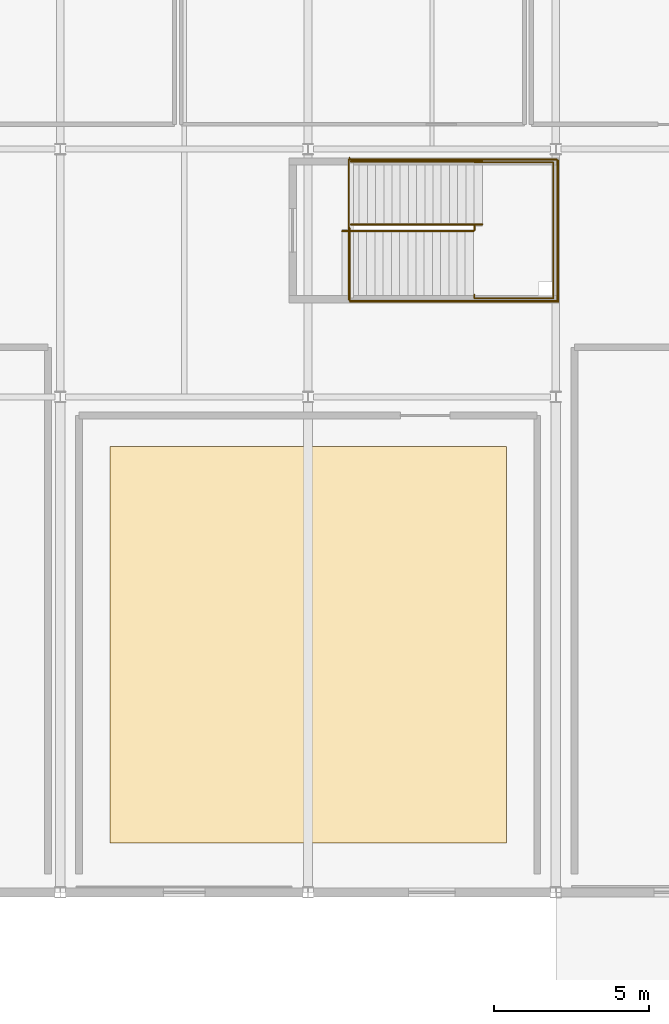
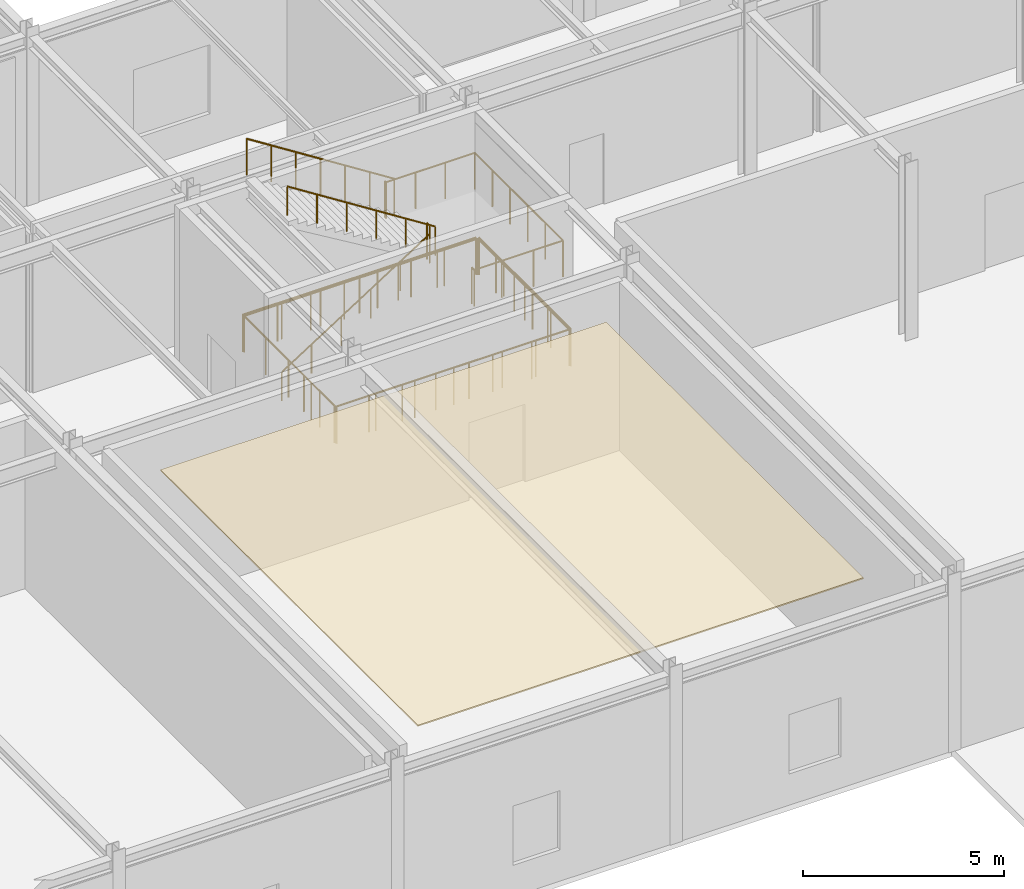
# One storey, part 105 of 108: 8 railings, 1 covering.
"""IFC4 building model written with IfcOpenShell, lengths in metres."""

from ifc_helpers import new_model, si_unit, direction, frame, origin, origin_2d, place, context, subcontext, project, spatial, rectangle, circle, extrude, material, layer, layer_set, type_object, element, save


model = new_model("IFC4")

# Units and contexts
model_context = context("Model", 3, precision=1e-05, world=origin(), true_north=direction((0.0, 1.0)))
body_context = subcontext(model_context, "Body", "Model", "MODEL_VIEW")
ifc_project = project(units=[si_unit("LENGTHUNIT", "METRE"), si_unit("AREAUNIT", "SQUARE_METRE"), si_unit("VOLUMEUNIT", "CUBIC_METRE"), si_unit("PLANEANGLEUNIT", "RADIAN"), si_unit("MASSUNIT", "GRAM", prefix="KILO")], contexts=[model_context])

# Site, building, storey
site_placement = place(None, origin())
site = spatial("IfcSite", under=ifc_project, at=site_placement, CompositionType="ELEMENT")
building_placement = place(site_placement, origin())
building = spatial("IfcBuilding", under=site, at=building_placement, Name="Zhaolan Boulevard Law Courts", CompositionType="ELEMENT")
storey_placement = place(building_placement, frame((0.0, 0.0, 10.800048828125)))
storey = spatial("IfcBuildingStorey", under=building, at=storey_placement, Name="L02", CompositionType="ELEMENT", Elevation=10.800048828125)

# Covering
ifc_material_1 = material(Name="Perforated acoustic gypsum and timber-slat ceiling", Category="wood")
ifc_layer = layer(ifc_material_1, 0.0400390625)
ifc_layer_set = layer_set([ifc_layer])
covering_type = type_object("IfcCoveringType", Name="ACOUSTIC CEILING 40", PredefinedType="CEILING", material=ifc_layer_set)
covering_placement = place(storey_placement, frame((108.0, 70.0, 4.7099609375), z_axis=(0.0, 0.0, 1.0), x_axis=(1.0, 0.0, 0.0)))
element("IfcCovering", 1, at=covering_placement, inside=storey, type_object=covering_type, Name="Acoustic Baffle Ceiling CLG-07", PredefinedType="CEILING", context=body_context, shape_type="SweptSolid", body=[
    extrude(rectangle(XDim=12.800048828125, YDim=12.800048828125, at=origin_2d()), origin(), (0.0, 0.0, 1.0), 0.0400390625),
])

# Railings
ifc_material_2 = material(Name="Powder-coated steel and tempered laminated glass", Category="steel")
railing_type_1 = type_object("IfcRailingType", Name="INTERIOR GUARDRAIL 1150", PredefinedType="GUARDRAIL", material=ifc_material_2)
railing_1_placement = place(storey_placement, frame((109.360107421875, 81.070068359375, 0.0)))
element("IfcRailing", 2, at=railing_1_placement, inside=storey, type_object=railing_type_1, Name="Atrium Gallery Guardrail VG-2-V2-4A", PredefinedType="GUARDRAIL", context=body_context, shape_type="SweptSolid", body=[
    extrude(circle(Radius=0.02490234375, at=origin_2d()), frame((0.0, 0.0, 1.125), z_axis=(1.0, 0.0, 0.0), x_axis=(0.0, 1.0, 0.0)), (0.0, 0.0, 1.0), 6.719970703125),
    extrude(circle(Radius=0.02490234375, at=origin_2d()), frame((6.719970703125, 0.0, 1.125), z_axis=(0.0, 1.0, 0.0), x_axis=(-1.0, 0.0, 0.0)), (0.0, 0.0, 1.0), 4.56982421875),
    extrude(circle(Radius=0.02099609375, at=origin_2d()), origin(), (0.0, 0.0, 1.0), 1.099853515625),
    extrude(circle(Radius=0.02099609375, at=origin_2d()), frame((1.1201171875, 0.0, 0.0)), (0.0, 0.0, 1.0), 1.099853515625),
    extrude(circle(Radius=0.02099609375, at=origin_2d()), frame((2.239990234375, 0.0, 0.0)), (0.0, 0.0, 1.0), 1.099853515625),
    extrude(circle(Radius=0.02099609375, at=origin_2d()), frame((3.35986328125, 0.0, 0.0)), (0.0, 0.0, 1.0), 1.099853515625),
    extrude(circle(Radius=0.02099609375, at=origin_2d()), frame((4.47998046875, 0.0, 0.0)), (0.0, 0.0, 1.0), 1.099853515625),
    extrude(circle(Radius=0.02099609375, at=origin_2d()), frame((5.60009765625, 0.0, 0.0)), (0.0, 0.0, 1.0), 1.099853515625),
    extrude(circle(Radius=0.02099609375, at=origin_2d()), frame((6.719970703125, 0.0, 0.0)), (0.0, 0.0, 1.0), 1.099853515625),
    extrude(circle(Radius=0.02099609375, at=origin_2d()), frame((6.719970703125, 1.142578125, 0.0)), (0.0, 0.0, 1.0), 1.099853515625),
    extrude(circle(Radius=0.02099609375, at=origin_2d()), frame((6.719970703125, 2.284912109375, 0.0)), (0.0, 0.0, 1.0), 1.099853515625),
    extrude(circle(Radius=0.02099609375, at=origin_2d()), frame((6.719970703125, 3.42724609375, 0.0)), (0.0, 0.0, 1.0), 1.099853515625),
    extrude(circle(Radius=0.02099609375, at=origin_2d()), frame((6.719970703125, 4.56982421875, 0.0)), (0.0, 0.0, 1.0), 1.099853515625),
])
railing_2_placement = place(storey_placement, frame((116.02001953125, 85.679931640625, 0.0)))
element("IfcRailing", 3, at=railing_2_placement, inside=storey, type_object=railing_type_1, Name="Atrium Gallery Guardrail VG-2-V2-4B", PredefinedType="GUARDRAIL", context=body_context, shape_type="SweptSolid", body=[
    extrude(circle(Radius=0.02490234375, at=origin_2d()), frame((0.0, 0.0, 1.125), z_axis=(-1.0, 0.0, 0.0), x_axis=(0.0, -1.0, 0.0)), (0.0, 0.0, 1.0), 6.699951171875),
    extrude(circle(Radius=0.02490234375, at=origin_2d()), frame((-6.699951171875, 0.0, 1.125), z_axis=(0.0, -1.0, 0.0), x_axis=(1.0, 0.0, 0.0)), (0.0, 0.0, 1.0), 4.550048828125),
    extrude(circle(Radius=0.02099609375, at=origin_2d()), origin(), (0.0, 0.0, 1.0), 1.099853515625),
    extrude(circle(Radius=0.02099609375, at=origin_2d()), frame((-1.11669921875, 0.0, 0.0)), (0.0, 0.0, 1.0), 1.099853515625),
    extrude(circle(Radius=0.02099609375, at=origin_2d()), frame((-2.2333984375, 0.0, 0.0)), (0.0, 0.0, 1.0), 1.099853515625),
    extrude(circle(Radius=0.02099609375, at=origin_2d()), frame((-3.35009765625, 0.0, 0.0)), (0.0, 0.0, 1.0), 1.099853515625),
    extrude(circle(Radius=0.02099609375, at=origin_2d()), frame((-4.466552734375, 0.0, 0.0)), (0.0, 0.0, 1.0), 1.099853515625),
    extrude(circle(Radius=0.02099609375, at=origin_2d()), frame((-5.583251953125, 0.0, 0.0)), (0.0, 0.0, 1.0), 1.099853515625),
    extrude(circle(Radius=0.02099609375, at=origin_2d()), frame((-6.699951171875, 0.0, 0.0)), (0.0, 0.0, 1.0), 1.099853515625),
    extrude(circle(Radius=0.02099609375, at=origin_2d()), frame((-6.699951171875, -1.137451171875, 0.0)), (0.0, 0.0, 1.0), 1.099853515625),
    extrude(circle(Radius=0.02099609375, at=origin_2d()), frame((-6.699951171875, -2.27490234375, 0.0)), (0.0, 0.0, 1.0), 1.099853515625),
    extrude(circle(Radius=0.02099609375, at=origin_2d()), frame((-6.699951171875, -3.41259765625, 0.0)), (0.0, 0.0, 1.0), 1.099853515625),
    extrude(circle(Radius=0.02099609375, at=origin_2d()), frame((-6.699951171875, -4.550048828125, 0.0)), (0.0, 0.0, 1.0), 1.099853515625),
])
ifc_material_3 = material(Name="Brushed stainless steel tubular handrail", Category="steel")
railing_type_2 = type_object("IfcRailingType", Name="STAIR HANDRAIL 900", PredefinedType="HANDRAIL", material=ifc_material_3)
railing_3_placement = place(storey_placement, frame((109.10009765625, 83.35009765625, 0.0)))
element("IfcRailing", 4, at=railing_3_placement, inside=storey, type_object=railing_type_2, Name="Stair Handrail HR-ST13-L02-1", PredefinedType="HANDRAIL", context=body_context, shape_type="SweptSolid", body=[
    extrude(circle(Radius=0.0224609375, at=origin_2d()), frame((0.0, 0.0, 0.87744140625), z_axis=(0.843501457581, 0.0, 0.537126885437), x_axis=(0.0, 1.0, 0.0)), (0.0, 0.0, 1.0), 5.026611328125),
    extrude(circle(Radius=0.01904296875, at=origin_2d()), origin(), (0.0, 0.0, 1.0), 0.85498046875),
    extrude(circle(Radius=0.01904296875, at=origin_2d()), frame((0.847900390625, 0.0, 0.5400390625)), (0.0, 0.0, 1.0), 0.85498046875),
    extrude(circle(Radius=0.01904296875, at=origin_2d()), frame((1.696044921875, 0.0, 1.080078125)), (0.0, 0.0, 1.0), 0.85498046875),
    extrude(circle(Radius=0.01904296875, at=origin_2d()), frame((2.5439453125, 0.0, 1.619873046875)), (0.0, 0.0, 1.0), 0.85498046875),
    extrude(circle(Radius=0.01904296875, at=origin_2d()), frame((3.39208984375, 0.0, 2.159912109375)), (0.0, 0.0, 1.0), 0.85498046875),
    extrude(circle(Radius=0.01904296875, at=origin_2d()), frame((4.239990234375, 0.0, 2.699951171875)), (0.0, 0.0, 1.0), 0.85498046875),
])
railing_4_placement = place(storey_placement, frame((113.625, 83.570068359375, 2.699951171875)))
element("IfcRailing", 5, at=railing_4_placement, inside=storey, type_object=railing_type_2, Name="Stair Handrail HR-ST13-L02-2", PredefinedType="HANDRAIL", context=body_context, shape_type="SweptSolid", body=[
    extrude(circle(Radius=0.0224609375, at=origin_2d()), frame((0.0, 0.0, 0.87744140625), z_axis=(-0.843501457581, 0.0, 0.537126885437), x_axis=(0.0, -1.0, 0.0)), (0.0, 0.0, 1.0), 5.026611328125),
    extrude(circle(Radius=0.01904296875, at=origin_2d()), origin(), (0.0, 0.0, 1.0), 0.85498046875),
    extrude(circle(Radius=0.01904296875, at=origin_2d()), frame((-0.847900390625, 0.0, 0.5400390625)), (0.0, 0.0, 1.0), 0.85498046875),
    extrude(circle(Radius=0.01904296875, at=origin_2d()), frame((-1.696044921875, 0.0, 1.080078125)), (0.0, 0.0, 1.0), 0.85498046875),
    extrude(circle(Radius=0.01904296875, at=origin_2d()), frame((-2.5439453125, 0.0, 1.619873046875)), (0.0, 0.0, 1.0), 0.85498046875),
    extrude(circle(Radius=0.01904296875, at=origin_2d()), frame((-3.39208984375, 0.0, 2.159912109375)), (0.0, 0.0, 1.0), 0.85498046875),
    extrude(circle(Radius=0.01904296875, at=origin_2d()), frame((-4.239990234375, 0.0, 2.699951171875)), (0.0, 0.0, 1.0), 0.85498046875),
])
ifc_material_4 = material(Name="Powder-coated steel baluster guardrail", Category="steel")
railing_type_3 = type_object("IfcRailingType", Name="STAIR WELL GUARDRAIL 1120", PredefinedType="GUARDRAIL", material=ifc_material_4)
railing_5_placement = place(storey_placement, frame((109.340087890625, 83.4599609375, 0.0)))
element("IfcRailing", 6, at=railing_5_placement, inside=storey, type_object=railing_type_3, Name="Stair-Well Floor Guardrail WG-ST13-L01", PredefinedType="GUARDRAIL", context=body_context, shape_type="SweptSolid", body=[
    extrude(circle(Radius=0.02392578125, at=origin_2d()), frame((0.0, 0.0, 1.09619140625), z_axis=(0.0, -1.0, 0.0), x_axis=(1.0, 0.0, 0.0)), (0.0, 0.0, 1.0), 2.35986328125),
    extrude(circle(Radius=0.02392578125, at=origin_2d()), frame((0.0, -2.35986328125, 1.09619140625), z_axis=(1.0, 0.0, 0.0), x_axis=(0.0, 1.0, 0.0)), (0.0, 0.0, 1.0), 6.7099609375),
    extrude(circle(Radius=0.02392578125, at=origin_2d()), frame((6.7099609375, -2.35986328125, 1.09619140625), z_axis=(0.0, 1.0, 0.0), x_axis=(-1.0, 0.0, 0.0)), (0.0, 0.0, 1.0), 4.5498046875),
    extrude(circle(Radius=0.02392578125, at=origin_2d()), frame((6.7099609375, 2.18994140625, 1.09619140625), z_axis=(-1.0, 0.0, 0.0), x_axis=(0.0, -1.0, 0.0)), (0.0, 0.0, 1.0), 6.7099609375),
    extrude(circle(Radius=0.02392578125, at=origin_2d()), frame((0.0, 2.18994140625, 1.09619140625), z_axis=(0.0, 1.0, 0.0), x_axis=(-1.0, 0.0, 0.0)), (0.0, 0.0, 1.0), 0.070068359375),
    extrude(circle(Radius=0.02099609375, at=origin_2d()), origin(), (0.0, 0.0, 1.0), 1.072021484375),
    extrude(circle(Radius=0.02099609375, at=origin_2d()), frame((0.0, -0.78662109375, 0.0)), (0.0, 0.0, 1.0), 1.072021484375),
    extrude(circle(Radius=0.02099609375, at=origin_2d()), frame((0.0, -1.5732421875, 0.0)), (0.0, 0.0, 1.0), 1.072021484375),
    extrude(circle(Radius=0.02099609375, at=origin_2d()), frame((0.0, -2.35986328125, 0.0)), (0.0, 0.0, 1.0), 1.072021484375),
    extrude(circle(Radius=0.02099609375, at=origin_2d()), frame((0.95849609375, -2.35986328125, 0.0)), (0.0, 0.0, 1.0), 1.072021484375),
    extrude(circle(Radius=0.02099609375, at=origin_2d()), frame((1.917236328125, -2.35986328125, 0.0)), (0.0, 0.0, 1.0), 1.072021484375),
    extrude(circle(Radius=0.02099609375, at=origin_2d()), frame((2.875732421875, -2.35986328125, 0.0)), (0.0, 0.0, 1.0), 1.072021484375),
    extrude(circle(Radius=0.02099609375, at=origin_2d()), frame((3.834228515625, -2.35986328125, 0.0)), (0.0, 0.0, 1.0), 1.072021484375),
    extrude(circle(Radius=0.02099609375, at=origin_2d()), frame((4.792724609375, -2.35986328125, 0.0)), (0.0, 0.0, 1.0), 1.072021484375),
    extrude(circle(Radius=0.02099609375, at=origin_2d()), frame((5.75146484375, -2.35986328125, 0.0)), (0.0, 0.0, 1.0), 1.072021484375),
    extrude(circle(Radius=0.02099609375, at=origin_2d()), frame((6.7099609375, -2.35986328125, 0.0)), (0.0, 0.0, 1.0), 1.072021484375),
    extrude(circle(Radius=0.02099609375, at=origin_2d()), frame((6.7099609375, -1.449951171875, 0.0)), (0.0, 0.0, 1.0), 1.072021484375),
    extrude(circle(Radius=0.02099609375, at=origin_2d()), frame((6.7099609375, -0.5400390625, 0.0)), (0.0, 0.0, 1.0), 1.072021484375),
    extrude(circle(Radius=0.02099609375, at=origin_2d()), frame((6.7099609375, 0.3701171875, 0.0)), (0.0, 0.0, 1.0), 1.072021484375),
    extrude(circle(Radius=0.02099609375, at=origin_2d()), frame((6.7099609375, 1.280029296875, 0.0)), (0.0, 0.0, 1.0), 1.072021484375),
    extrude(circle(Radius=0.02099609375, at=origin_2d()), frame((6.7099609375, 2.18994140625, 0.0)), (0.0, 0.0, 1.0), 1.072021484375),
    extrude(circle(Radius=0.02099609375, at=origin_2d()), frame((5.75146484375, 2.18994140625, 0.0)), (0.0, 0.0, 1.0), 1.072021484375),
    extrude(circle(Radius=0.02099609375, at=origin_2d()), frame((4.792724609375, 2.18994140625, 0.0)), (0.0, 0.0, 1.0), 1.072021484375),
    extrude(circle(Radius=0.02099609375, at=origin_2d()), frame((3.834228515625, 2.18994140625, 0.0)), (0.0, 0.0, 1.0), 1.072021484375),
    extrude(circle(Radius=0.02099609375, at=origin_2d()), frame((2.875732421875, 2.18994140625, 0.0)), (0.0, 0.0, 1.0), 1.072021484375),
    extrude(circle(Radius=0.02099609375, at=origin_2d()), frame((1.917236328125, 2.18994140625, 0.0)), (0.0, 0.0, 1.0), 1.072021484375),
    extrude(circle(Radius=0.02099609375, at=origin_2d()), frame((0.95849609375, 2.18994140625, 0.0)), (0.0, 0.0, 1.0), 1.072021484375),
    extrude(circle(Radius=0.02099609375, at=origin_2d()), frame((0.0, 2.18994140625, 0.0)), (0.0, 0.0, 1.0), 1.072021484375),
    extrude(circle(Radius=0.02099609375, at=origin_2d()), frame((0.0, 2.260009765625, 0.0)), (0.0, 0.0, 1.0), 1.072021484375),
])
railing_6_placement = place(storey_placement, frame((113.3701171875, 81.300048828125, 2.699951171875)))
element("IfcRailing", 7, at=railing_6_placement, inside=storey, type_object=railing_type_3, Name="Half-Landing Guardrail SG-ST13-L02-M", PredefinedType="GUARDRAIL", context=body_context, shape_type="SweptSolid", body=[
    extrude(circle(Radius=0.02392578125, at=origin_2d()), frame((0.0, 0.0, 1.09619140625), z_axis=(0.0, -1.0, 0.0), x_axis=(1.0, 0.0, 0.0)), (0.0, 0.0, 1.0), 0.1201171875),
    extrude(circle(Radius=0.02392578125, at=origin_2d()), frame((0.0, -0.1201171875, 1.09619140625), z_axis=(1.0, 0.0, 0.0), x_axis=(0.0, 1.0, 0.0)), (0.0, 0.0, 1.0), 2.5498046875),
    extrude(circle(Radius=0.02392578125, at=origin_2d()), frame((2.5498046875, -0.1201171875, 1.09619140625), z_axis=(0.0, 1.0, 0.0), x_axis=(-1.0, 0.0, 0.0)), (0.0, 0.0, 1.0), 4.39013671875),
    extrude(circle(Radius=0.02392578125, at=origin_2d()), frame((2.5498046875, 4.27001953125, 1.09619140625), z_axis=(-1.0, 0.0, 0.0), x_axis=(0.0, -1.0, 0.0)), (0.0, 0.0, 1.0), 2.5498046875),
    extrude(circle(Radius=0.02392578125, at=origin_2d()), frame((0.0, 4.27001953125, 1.09619140625), z_axis=(0.0, 1.0, 0.0), x_axis=(-1.0, 0.0, 0.0)), (0.0, 0.0, 1.0), 0.050048828125),
    extrude(circle(Radius=0.02099609375, at=origin_2d()), origin(), (0.0, 0.0, 1.0), 1.072021484375),
    extrude(circle(Radius=0.02099609375, at=origin_2d()), frame((0.0, -0.1201171875, 0.0)), (0.0, 0.0, 1.0), 1.072021484375),
    extrude(circle(Radius=0.02099609375, at=origin_2d()), frame((0.849853515625, -0.1201171875, 0.0)), (0.0, 0.0, 1.0), 1.072021484375),
    extrude(circle(Radius=0.02099609375, at=origin_2d()), frame((1.699951171875, -0.1201171875, 0.0)), (0.0, 0.0, 1.0), 1.072021484375),
    extrude(circle(Radius=0.02099609375, at=origin_2d()), frame((2.5498046875, -0.1201171875, 0.0)), (0.0, 0.0, 1.0), 1.072021484375),
    extrude(circle(Radius=0.02099609375, at=origin_2d()), frame((2.5498046875, 0.7578125, 0.0)), (0.0, 0.0, 1.0), 1.072021484375),
    extrude(circle(Radius=0.02099609375, at=origin_2d()), frame((2.5498046875, 1.635986328125, 0.0)), (0.0, 0.0, 1.0), 1.072021484375),
    extrude(circle(Radius=0.02099609375, at=origin_2d()), frame((2.5498046875, 2.513916015625, 0.0)), (0.0, 0.0, 1.0), 1.072021484375),
    extrude(circle(Radius=0.02099609375, at=origin_2d()), frame((2.5498046875, 3.39208984375, 0.0)), (0.0, 0.0, 1.0), 1.072021484375),
    extrude(circle(Radius=0.02099609375, at=origin_2d()), frame((2.5498046875, 4.27001953125, 0.0)), (0.0, 0.0, 1.0), 1.072021484375),
    extrude(circle(Radius=0.02099609375, at=origin_2d()), frame((1.699951171875, 4.27001953125, 0.0)), (0.0, 0.0, 1.0), 1.072021484375),
    extrude(circle(Radius=0.02099609375, at=origin_2d()), frame((0.849853515625, 4.27001953125, 0.0)), (0.0, 0.0, 1.0), 1.072021484375),
    extrude(circle(Radius=0.02099609375, at=origin_2d()), frame((0.0, 4.27001953125, 0.0)), (0.0, 0.0, 1.0), 1.072021484375),
    extrude(circle(Radius=0.02099609375, at=origin_2d()), frame((0.0, 4.320068359375, 0.0)), (0.0, 0.0, 1.0), 1.072021484375),
])
railing_7_placement = place(storey_placement, frame((113.3701171875, 83.389892578125, 2.699951171875)))
element("IfcRailing", 8, at=railing_7_placement, inside=storey, type_object=railing_type_3, Name="Half-Landing Well Guardrail SG-ST13-L02-W", PredefinedType="GUARDRAIL", context=body_context, shape_type="SweptSolid", body=[
    extrude(circle(Radius=0.02392578125, at=origin_2d()), frame((0.0, 0.0, 1.09619140625), z_axis=(0.0, 1.0, 0.0), x_axis=(-1.0, 0.0, 0.0)), (0.0, 0.0, 1.0), 0.14013671875),
    extrude(circle(Radius=0.02099609375, at=origin_2d()), origin(), (0.0, 0.0, 1.0), 1.072021484375),
    extrude(circle(Radius=0.02099609375, at=origin_2d()), frame((0.0, 0.14013671875, 0.0)), (0.0, 0.0, 1.0), 1.072021484375),
])
railing_8_placement = place(storey_placement, frame((113.625, 85.60009765625, 2.699951171875)))
element("IfcRailing", 9, at=railing_8_placement, inside=storey, type_object=railing_type_3, Name="Flight Guardrail SG-ST13-L02-F2", PredefinedType="GUARDRAIL", context=body_context, shape_type="SweptSolid", body=[
    extrude(circle(Radius=0.02392578125, at=origin_2d()), frame((0.0, 0.0, 1.09619140625), z_axis=(-0.843501457581, 0.0, 0.537126885437), x_axis=(0.0, -1.0, 0.0)), (0.0, 0.0, 1.0), 5.026611328125),
    extrude(circle(Radius=0.02099609375, at=origin_2d()), origin(), (0.0, 0.0, 1.0), 1.072021484375),
    extrude(circle(Radius=0.02099609375, at=origin_2d()), frame((-0.70654296875, 0.0, 0.449951171875)), (0.0, 0.0, 1.0), 1.072021484375),
    extrude(circle(Radius=0.02099609375, at=origin_2d()), frame((-1.413330078125, 0.0, 0.89990234375)), (0.0, 0.0, 1.0), 1.072021484375),
    extrude(circle(Radius=0.02099609375, at=origin_2d()), frame((-2.1201171875, 0.0, 1.35009765625)), (0.0, 0.0, 1.0), 1.072021484375),
    extrude(circle(Radius=0.02099609375, at=origin_2d()), frame((-2.82666015625, 0.0, 1.800048828125)), (0.0, 0.0, 1.0), 1.072021484375),
    extrude(circle(Radius=0.02099609375, at=origin_2d()), frame((-3.533203125, 0.0, 2.25)), (0.0, 0.0, 1.0), 1.072021484375),
    extrude(circle(Radius=0.02099609375, at=origin_2d()), frame((-4.239990234375, 0.0, 2.699951171875)), (0.0, 0.0, 1.0), 1.072021484375),
])

save(model, "model.ifc")
